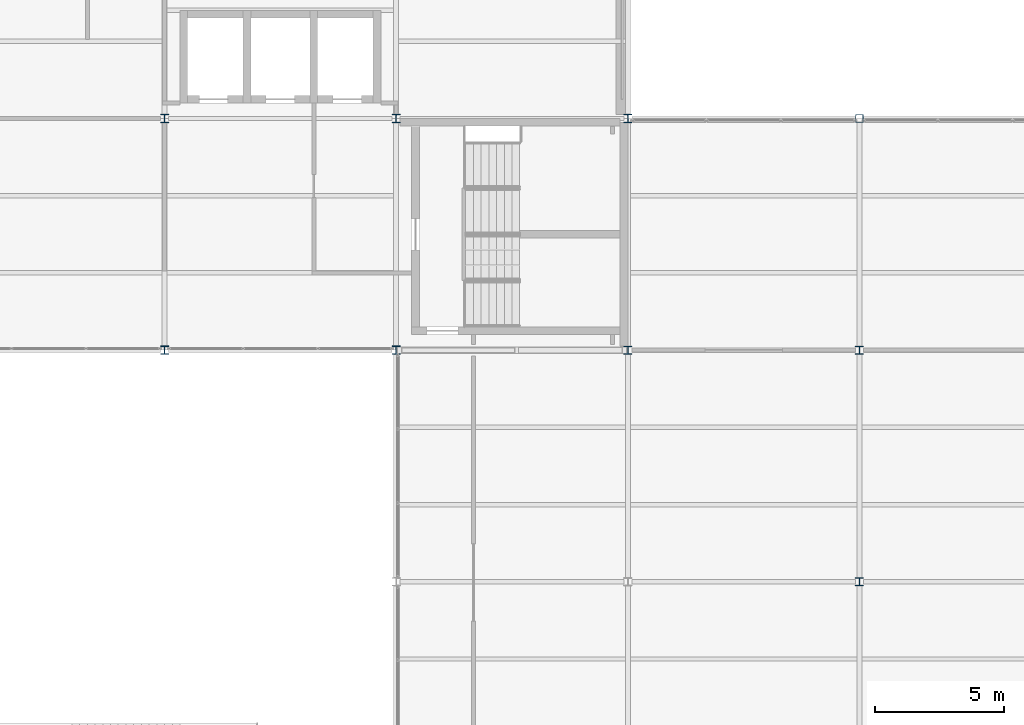
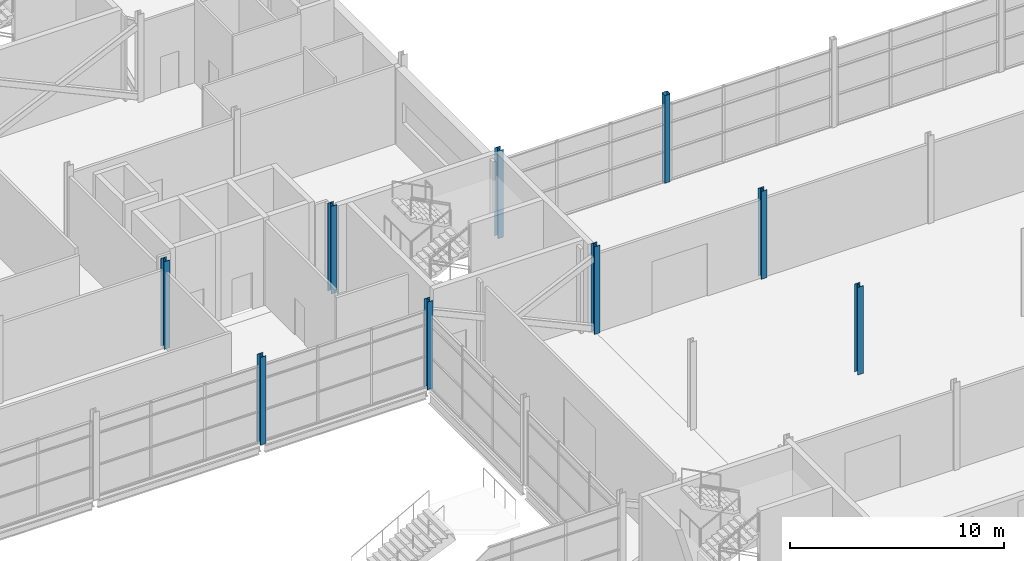
# One storey, part 12 of 112: 9 columns.
"""IFC4 building model written with IfcOpenShell, lengths in metres."""

from ifc_helpers import new_model, si_unit, direction, frame, origin, origin_2d, place, context, subcontext, project, spatial, hollow_rectangle, i_section, extrude, material, material_profile, profile_set, type_object, element, save


model = new_model("IFC4")

# Units and contexts
model_context = context("Model", 3, precision=1e-05, world=origin(), true_north=direction((0.0, 1.0)))
body_context = subcontext(model_context, "Body", "Model", "MODEL_VIEW")
ifc_project = project(units=[si_unit("LENGTHUNIT", "METRE"), si_unit("AREAUNIT", "SQUARE_METRE"), si_unit("VOLUMEUNIT", "CUBIC_METRE"), si_unit("PLANEANGLEUNIT", "RADIAN"), si_unit("MASSUNIT", "GRAM", prefix="KILO")], contexts=[model_context])

# Site, building, storey
site_placement = place(None, origin())
site = spatial("IfcSite", under=ifc_project, at=site_placement, CompositionType="ELEMENT")
building_placement = place(site_placement, origin())
building = spatial("IfcBuilding", under=site, at=building_placement, Name="Shorebreak Coast Museum", CompositionType="ELEMENT")
storey_placement = place(building_placement, frame((0.0, 0.0, 6.0)))
storey = spatial("IfcBuildingStorey", under=building, at=storey_placement, Name="L01", CompositionType="ELEMENT", Elevation=6.0)

# Columns
ifc_material_1 = material(Name="Steel Grade C450L0", Category="steel")
ifc_material_profile_1 = material_profile(ifc_material_1, hollow_rectangle(XDim=0.300048828125, YDim=0.300048828125, WallThickness=0.012451171875, InnerFilletRadius=0.018798828125, OuterFilletRadius=0.03125, at=origin_2d()), Name="300x300x12.5 SHS")
ifc_profile_set_1 = profile_set([ifc_material_profile_1], Name="Steel Grade C450L0")
column_type_1 = type_object("IfcColumnType", Name="Column 300x300x12.5 SHS", PredefinedType="COLUMN", material=ifc_profile_set_1)
column_placement = place(storey_placement, frame((126.0, 90.0, 0.0), z_axis=(0.0, 0.0, 1.0), x_axis=(1.0, 0.0, 0.0)))
element("IfcColumn", 1, at=column_placement, inside=storey, type_object=column_type_1, Name="Column L01 15L", PredefinedType="COLUMN", context=body_context, shape_type="SweptSolid", body=[
    extrude(hollow_rectangle(XDim=0.300048828125, YDim=0.300048828125, WallThickness=0.012451171875, InnerFilletRadius=0.018798828125, OuterFilletRadius=0.03125, at=origin_2d()), origin(), (0.0, 0.0, 1.0), 5.0),
])
ifc_material_2 = material(Name="Steel Grade 300", Category="steel")
ifc_material_profile_2 = material_profile(ifc_material_2, i_section(OverallWidth=0.30908203125, OverallDepth=0.320556640625, WebThickness=0.013916015625, FlangeThickness=0.021728515625, FilletRadius=0.0166015625, at=origin_2d()), Name="310UC137")
ifc_profile_set_2 = profile_set([ifc_material_profile_2], Name="Steel Grade 300")
column_type_2 = type_object("IfcColumnType", Name="Column 310UC137", PredefinedType="COLUMN", material=ifc_profile_set_2)
for number, where, z_axis, x_axis, name in (
    (2, (126.0, 72.0, 0.0), (0.0, 0.0, 1.0), (1.0, 0.0, 0.0), "Column L01 15J"),
    (3, (117.0, 81.0, 0.0), (0.0, 0.0, 1.0), (1.0, 0.0, 0.0), "Column L01 14K"),
    (4, (126.0, 81.0, 0.0), (0.0, 0.0, 1.0), (1.0, 0.0, 0.0), "Column L01 15K"),
):
    element("IfcColumn", number, at=place(storey_placement, frame(where, z_axis=z_axis, x_axis=x_axis)), inside=storey, type_object=column_type_2, Name=name, PredefinedType="COLUMN", context=body_context, shape_type="SweptSolid", body=[
        extrude(i_section(OverallWidth=0.30908203125, OverallDepth=0.320556640625, WebThickness=0.013916015625, FlangeThickness=0.021728515625, FilletRadius=0.0166015625, at=origin_2d()), origin(), (0.0, 0.0, 1.0), 5.0),
    ])
ifc_material_3 = material(Name="Steel Grade 300", Category="steel")
ifc_material_profile_3 = material_profile(ifc_material_3, i_section(OverallWidth=0.31103515625, OverallDepth=0.3271484375, WebThickness=0.015625, FlangeThickness=0.02490234375, FilletRadius=0.0166015625, at=origin_2d()), Name="310UC158")
ifc_profile_set_3 = profile_set([ifc_material_profile_3], Name="Steel Grade 300")
column_type_3 = type_object("IfcColumnType", Name="Column 310UC158", PredefinedType="COLUMN", material=ifc_profile_set_3)
for number, where, z_axis, x_axis, name in (
    (5, (99.0, 81.0, 0.0), (0.0, 0.0, 1.0), (1.0, 0.0, 0.0), "Column L01 12K"),
    (6, (108.0, 81.0, 0.0), (0.0, 0.0, 1.0), (1.0, 0.0, 0.0), "Column L01 13K"),
    (7, (99.0, 90.0, 0.0), (0.0, 0.0, 1.0), (1.0, 0.0, 0.0), "Column L01 12L"),
    (8, (108.0, 90.0, 0.0), (0.0, 0.0, 1.0), (1.0, 0.0, 0.0), "Column L01 13L"),
    (9, (117.0, 90.0, 0.0), (0.0, 0.0, 1.0), (1.0, 0.0, 0.0), "Column L01 14L"),
):
    element("IfcColumn", number, at=place(storey_placement, frame(where, z_axis=z_axis, x_axis=x_axis)), inside=storey, type_object=column_type_3, Name=name, PredefinedType="COLUMN", context=body_context, shape_type="SweptSolid", body=[
        extrude(i_section(OverallWidth=0.31103515625, OverallDepth=0.3271484375, WebThickness=0.015625, FlangeThickness=0.02490234375, FilletRadius=0.0166015625, at=origin_2d()), origin(), (0.0, 0.0, 1.0), 5.0),
    ])

save(model, "model.ifc")
